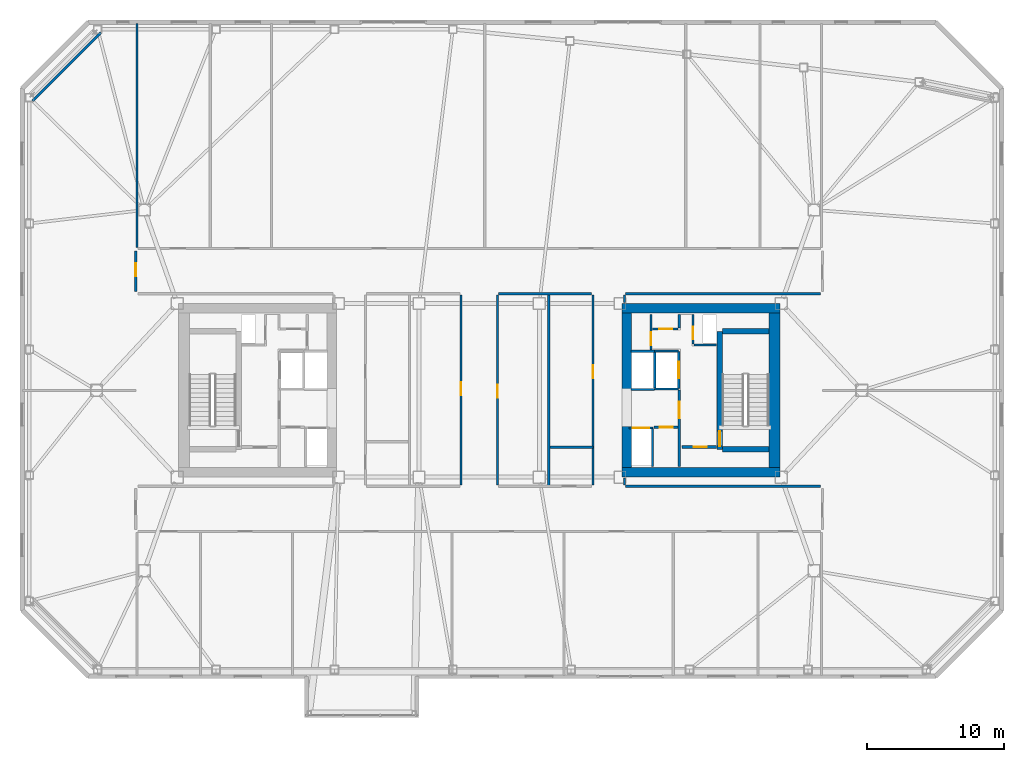
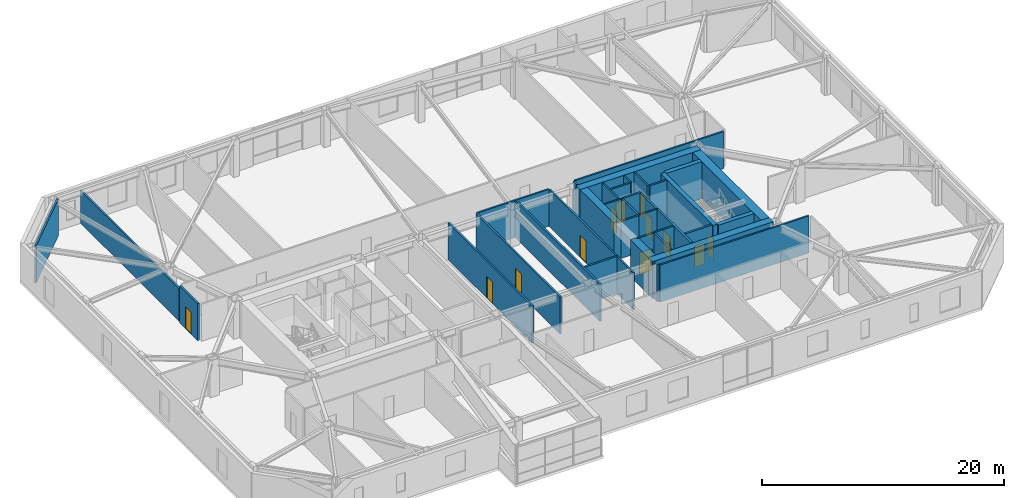
# One storey, part 13 of 19: 37 walls, 13 doors, 13 openings.
"""IFC4 building model written with IfcOpenShell, lengths in metres."""

from ifc_helpers import new_model, si_unit, direction, frame, frame_2d, origin, place, context, subcontext, project, spatial, rectangle, extrude, material, layer, layer_set, type_object, element, fill, save


model = new_model("IFC4")

# Units and contexts
model_context = context("Model", 3, precision=1e-05, world=origin(), true_north=direction((0.0, 1.0)))
body_context = subcontext(model_context, "Body", "Model", "MODEL_VIEW")
ifc_project = project(units=[si_unit("LENGTHUNIT", "METRE"), si_unit("AREAUNIT", "SQUARE_METRE"), si_unit("VOLUMEUNIT", "CUBIC_METRE"), si_unit("PLANEANGLEUNIT", "RADIAN"), si_unit("MASSUNIT", "GRAM", prefix="KILO")], contexts=[model_context])

# Site, building, storey
site_placement = place(None, origin())
site = spatial("IfcSite", under=ifc_project, at=site_placement, CompositionType="ELEMENT")
building_placement = place(site_placement, origin())
building = spatial("IfcBuilding", under=site, at=building_placement, Name="Tavrogorsk Clinical Tower", CompositionType="ELEMENT")
storey_placement = place(building_placement, frame((0.0, 0.0, 156.199951171875)))
storey = spatial("IfcBuildingStorey", under=building, at=storey_placement, Name="L35", CompositionType="ELEMENT", Elevation=156.199951171875)

# Wall, opening, door
ifc_material_1 = material(Name="Concrete B60", Category="concrete")
ifc_layer_1 = layer(ifc_material_1, 0.199951171875)
ifc_layer_set_1 = layer_set([ifc_layer_1], Name="Concrete B60")
wall_type_1 = type_object("IfcWallType", Name="CoreFireWall_200", PredefinedType="SOLIDWALL", material=ifc_layer_set_1)
wall_1_placement = place(storey_placement, frame((14.824951171875, -4.139892578125, 0.0), z_axis=(0.0, 0.0, 1.0), x_axis=(1.0, 0.0, 0.0)))
wall_1 = element("IfcWall", 1, at=wall_1_placement, inside=storey, type_object=wall_type_1, Name="L35 Core East South Core Room Fire Wall", PredefinedType="SOLIDWALL", context=body_context, shape_type="SweptSolid", body=[
    extrude(rectangle(XDim=2.554931640625, YDim=0.199951171875, at=frame_2d((1.27734375, 0.0))), origin(), (0.0, 0.0, 1.0), 3.739990234375),
])
opening_1_placement = place(wall_1_placement, frame((0.8798828125, 0.0, 0.0)))
opening_1 = element("IfcOpeningElement", 2, at=opening_1_placement, cuts=wall_1, Name="Opening ID-02", PredefinedType="OPENING", context=body_context, shape_type="SweptSolid", body=[
    extrude(rectangle(XDim=0.949951171875, YDim=2.199951171875, at=frame_2d((0.47509765625, 1.10009765625))), frame((0.0, 0.10986328125, 0.0), z_axis=(0.0, -1.0, 0.0), x_axis=(1.0, 0.0, 0.0)), (0.0, 0.0, 1.0), 0.219970703125),
])
ifc_material_2 = material(Name="Laminated timber leaf on aluminium frame", Category="wood")
door_type_1 = type_object("IfcDoorType", Name="InteriorDoor_ID02_950", OperationType="NOTDEFINED", PredefinedType="DOOR", material=ifc_material_2)
door_1_placement = place(opening_1_placement, origin())
door_1 = element("IfcDoor", 3, at=door_1_placement, inside=storey, type_object=door_type_1, Name="L35 Core East South Core Room Door", OperationType="SINGLE_SWING_RIGHT", OverallHeight=2.199951171875, OverallWidth=0.949951171875, PredefinedType="DOOR", context=body_context, shape_type="SweptSolid", body=[
    extrude(rectangle(XDim=0.949951171875, YDim=2.199951171875, at=frame_2d((0.47509765625, 1.10009765625))), frame((0.0, 0.02490234375, 0.0), z_axis=(0.0, -1.0, 0.0), x_axis=(1.0, 0.0, 0.0)), (0.0, 0.0, 1.0), 0.050048828125),
])
fill(opening_1, door_1)

wall_2_placement = place(storey_placement, frame((14.639892578125, -5.56005859375, 0.0), z_axis=(0.0, 0.0, 1.0), x_axis=(0.0, 1.0, 0.0)))
wall_2 = element("IfcWall", 4, at=wall_2_placement, inside=storey, type_object=wall_type_1, Name="L35 Core East Firefighting Lobby Fire Wall", PredefinedType="SOLIDWALL", context=body_context, shape_type="SweptSolid", body=[
    extrude(rectangle(XDim=5.60009765625, YDim=0.199951171875, at=frame_2d((2.800048828125, 0.0))), origin(), (0.0, 0.0, 1.0), 3.739990234375),
])
opening_2_placement = place(wall_2_placement, frame((3.510009765625, 0.0, 0.0)))
opening_2 = element("IfcOpeningElement", 5, at=opening_2_placement, cuts=wall_2, Name="Opening FD-01", PredefinedType="OPENING", context=body_context, shape_type="SweptSolid", body=[
    extrude(rectangle(XDim=1.199951171875, YDim=2.199951171875, at=frame_2d((0.60009765625, 1.10009765625))), frame((0.0, 0.10986328125, 0.0), z_axis=(0.0, -1.0, 0.0), x_axis=(1.0, 0.0, 0.0)), (0.0, 0.0, 1.0), 0.219970703125),
])
ifc_material_3 = material(Name="Galvanised steel fire-rated door assembly", Category="steel")
door_type_2 = type_object("IfcDoorType", Name="FireDoor_FD01_1200", OperationType="NOTDEFINED", PredefinedType="DOOR", material=ifc_material_3)
door_2_placement = place(opening_2_placement, origin())
door_2 = element("IfcDoor", 6, at=door_2_placement, inside=storey, type_object=door_type_2, Name="L35 Core East Firefighting Lobby Entry Door", OperationType="SINGLE_SWING_RIGHT", OverallHeight=2.199951171875, OverallWidth=1.199951171875, PredefinedType="DOOR", context=body_context, shape_type="SweptSolid", body=[
    extrude(rectangle(XDim=1.199951171875, YDim=2.199951171875, at=frame_2d((0.60009765625, 1.10009765625))), frame((0.0, 0.02490234375, 0.0), z_axis=(0.0, -1.0, 0.0), x_axis=(1.0, 0.0, 0.0)), (0.0, 0.0, 1.0), 0.050048828125),
])
fill(opening_2, door_2)

ifc_material_4 = material(Name="Lightweight concrete blockwork B15", Category="masonry")
ifc_layer_2 = layer(ifc_material_4, 0.159912109375)
ifc_layer_set_2 = layer_set([ifc_layer_2], Name="Lightweight concrete blockwork B15")
wall_type_2 = type_object("IfcWallType", Name="PartitionWall_160", PredefinedType="PARTITIONING", material=ifc_layer_set_2)
wall_3_placement = place(storey_placement, frame((12.77490234375, -2.699951171875, 0.0), z_axis=(0.0, 0.0, 1.0), x_axis=(1.0, 0.0, 0.0)))
wall_3 = element("IfcWall", 7, at=wall_3_placement, inside=storey, type_object=wall_type_2, Name="L35 Core East Freed Low-Bank North Partition", PredefinedType="PARTITIONING", context=body_context, shape_type="SweptSolid", body=[
    extrude(rectangle(XDim=1.760009765625, YDim=0.159912109375, at=frame_2d((0.8798828125, 0.0))), origin(), (0.0, 0.0, 1.0), 3.739990234375),
])
opening_3_placement = place(wall_3_placement, frame((0.449951171875, 0.0, 0.0)))
opening_3 = element("IfcOpeningElement", 8, at=opening_3_placement, cuts=wall_3, Name="Opening ID-02", PredefinedType="OPENING", context=body_context, shape_type="SweptSolid", body=[
    extrude(rectangle(XDim=0.949951171875, YDim=2.199951171875, at=frame_2d((0.47509765625, 1.10009765625))), frame((0.0, 0.08984375, 0.0), z_axis=(0.0, -1.0, 0.0), x_axis=(1.0, 0.0, 0.0)), (0.0, 0.0, 1.0), 0.179931640625),
])
door_3_placement = place(opening_3_placement, origin())
door_3 = element("IfcDoor", 9, at=door_3_placement, inside=storey, type_object=door_type_1, Name="L35 Core East Biomedical Alcove Door", OperationType="SINGLE_SWING_LEFT", OverallHeight=2.199951171875, OverallWidth=0.949951171875, PredefinedType="DOOR", context=body_context, shape_type="SweptSolid", body=[
    extrude(rectangle(XDim=0.949951171875, YDim=2.199951171875, at=frame_2d((0.47509765625, 1.10009765625))), frame((0.0, 0.02490234375, 0.0), z_axis=(0.0, -1.0, 0.0), x_axis=(1.0, 0.0, 0.0)), (0.0, 0.0, 1.0), 0.050048828125),
])
fill(opening_3, door_3)

wall_4_placement = place(storey_placement, frame((12.580078125, 2.9599609375, 0.0), z_axis=(0.0, 0.0, 1.0), x_axis=(0.0, 1.0, 0.0)))
wall_4 = element("IfcWall", 10, at=wall_4_placement, inside=storey, type_object=wall_type_2, Name="L35 Core East Linen Closet Wall", PredefinedType="PARTITIONING", context=body_context, shape_type="SweptSolid", body=[
    extrude(rectangle(XDim=2.60009765625, YDim=0.159912109375, at=frame_2d((1.300048828125, 0.0))), origin(), (0.0, 0.0, 1.0), 3.739990234375),
])
opening_4_placement = place(wall_4_placement, frame((0.35009765625, 0.0, 0.0)))
opening_4 = element("IfcOpeningElement", 11, at=opening_4_placement, cuts=wall_4, Name="Opening ID-02", PredefinedType="OPENING", context=body_context, shape_type="SweptSolid", body=[
    extrude(rectangle(XDim=0.949951171875, YDim=2.199951171875, at=frame_2d((0.47509765625, 1.10009765625))), frame((0.0, 0.08984375, 0.0), z_axis=(0.0, -1.0, 0.0), x_axis=(1.0, 0.0, 0.0)), (0.0, 0.0, 1.0), 0.179931640625),
])
door_4_placement = place(opening_4_placement, origin())
door_4 = element("IfcDoor", 12, at=door_4_placement, inside=storey, type_object=door_type_1, Name="L35 Core East Linen Closet Door", OperationType="SINGLE_SWING_RIGHT", OverallHeight=2.199951171875, OverallWidth=0.949951171875, PredefinedType="DOOR", context=body_context, shape_type="SweptSolid", body=[
    extrude(rectangle(XDim=0.949951171875, YDim=2.199951171875, at=frame_2d((0.47509765625, 1.10009765625))), frame((0.0, 0.02490234375, 0.0), z_axis=(0.0, -1.0, 0.0), x_axis=(1.0, 0.0, 0.0)), (0.0, 0.0, 1.0), 0.050048828125),
])
fill(opening_4, door_4)

wall_5_placement = place(storey_placement, frame((12.6650390625, 4.47998046875, 0.0), z_axis=(0.0, 0.0, 1.0), x_axis=(1.0, 0.0, 0.0)))
wall_5 = element("IfcWall", 13, at=wall_5_placement, inside=storey, type_object=wall_type_2, Name="L35 Core East Housekeeping South Wall", PredefinedType="PARTITIONING", context=body_context, shape_type="SweptSolid", body=[
    extrude(rectangle(XDim=1.889892578125, YDim=0.159912109375, at=frame_2d((0.94482421875, 0.0))), origin(), (0.0, 0.0, 1.0), 3.739990234375),
])
opening_5_placement = place(wall_5_placement, frame((0.5, 0.0, 0.0)))
opening_5 = element("IfcOpeningElement", 14, at=opening_5_placement, cuts=wall_5, Name="Opening ID-02", PredefinedType="OPENING", context=body_context, shape_type="SweptSolid", body=[
    extrude(rectangle(XDim=0.949951171875, YDim=2.199951171875, at=frame_2d((0.47509765625, 1.10009765625))), frame((0.0, 0.08984375, 0.0), z_axis=(0.0, -1.0, 0.0), x_axis=(1.0, 0.0, 0.0)), (0.0, 0.0, 1.0), 0.179931640625),
])
door_5_placement = place(opening_5_placement, origin())
door_5 = element("IfcDoor", 15, at=door_5_placement, inside=storey, type_object=door_type_1, Name="L35 Core East Housekeeping Closet Door", OperationType="SINGLE_SWING_LEFT", OverallHeight=2.199951171875, OverallWidth=0.949951171875, PredefinedType="DOOR", context=body_context, shape_type="SweptSolid", body=[
    extrude(rectangle(XDim=0.949951171875, YDim=2.199951171875, at=frame_2d((0.47509765625, 1.10009765625))), frame((0.0, 0.02490234375, 0.0), z_axis=(0.0, -1.0, 0.0), x_axis=(1.0, 0.0, 0.0)), (0.0, 0.0, 1.0), 0.050048828125),
])
fill(opening_5, door_5)

# Walls
wall_6_placement = place(storey_placement, frame((14.639892578125, 4.56494140625, 0.0), z_axis=(0.0, 0.0, 1.0), x_axis=(0.0, 1.0, 0.0)))
element("IfcWall", 16, at=wall_6_placement, inside=storey, type_object=wall_type_2, Name="L35 Core East Housekeeping East Wall", PredefinedType="PARTITIONING", context=body_context, shape_type="SweptSolid", body=[
    extrude(rectangle(XDim=0.9951171875, YDim=0.159912109375, at=frame_2d((0.49755859375, 0.0))), origin(), (0.0, 0.0, 1.0), 3.739990234375),
])
wall_7_placement = place(storey_placement, frame((-27.6796875, 26.1796875, 0.0), z_axis=(0.0, 0.0, 1.0), x_axis=(-0.707106781187, -0.707106781187, 0.0)))
element("IfcWall", 17, at=wall_7_placement, inside=storey, type_object=wall_type_2, Name="L35 Corner Exoskeleton Brace Furring Wall 3", PredefinedType="PARTITIONING", context=body_context, shape_type="SweptSolid", body=[
    extrude(rectangle(XDim=7.071044921875, YDim=0.159912109375, at=frame_2d((3.53564453125, 0.0))), origin(), (0.0, 0.0, 1.0), 3.739990234375),
])

# Wall, opening, door
wall_8_placement = place(storey_placement, frame((-25.1298828125, 7.235107421875, 0.0), z_axis=(0.0, 0.0, 1.0), x_axis=(0.0, 1.0, 0.0)))
wall_8 = element("IfcWall", 18, at=wall_8_placement, inside=storey, type_object=wall_type_2, Name="L35 Corridor Partition 06", PredefinedType="PARTITIONING", context=body_context, shape_type="SweptSolid", body=[
    extrude(rectangle(XDim=2.97998046875, YDim=0.159912109375, at=frame_2d((1.489990234375, 0.0))), origin(), (0.0, 0.0, 1.0), 3.739990234375),
])
opening_6_placement = place(wall_8_placement, frame((1.10009765625, 0.0, 0.0)))
opening_6 = element("IfcOpeningElement", 19, at=opening_6_placement, cuts=wall_8, Name="Opening ID-02", PredefinedType="OPENING", context=body_context, shape_type="SweptSolid", body=[
    extrude(rectangle(XDim=0.949951171875, YDim=2.199951171875, at=frame_2d((0.47509765625, 1.10009765625))), frame((0.0, 0.08984375, 0.0), z_axis=(0.0, -1.0, 0.0), x_axis=(1.0, 0.0, 0.0)), (0.0, 0.0, 1.0), 0.179931640625),
])
door_6_placement = place(opening_6_placement, origin())
door_6 = element("IfcDoor", 20, at=door_6_placement, inside=storey, type_object=door_type_1, Name="L35 W Rehabilitation Therapy Suite 2 Door", OperationType="SINGLE_SWING_LEFT", OverallHeight=2.199951171875, OverallWidth=0.949951171875, PredefinedType="DOOR", context=body_context, shape_type="SweptSolid", body=[
    extrude(rectangle(XDim=0.949951171875, YDim=2.199951171875, at=frame_2d((0.47509765625, 1.10009765625))), frame((0.0, 0.02490234375, 0.0), z_axis=(0.0, -1.0, 0.0), x_axis=(1.0, 0.0, 0.0)), (0.0, 0.0, 1.0), 0.050048828125),
])
fill(opening_6, door_6)

# Walls
wall_9_placement = place(storey_placement, frame((24.965087890625, 7.070068359375, 0.0), z_axis=(0.0, 0.0, 1.0), x_axis=(-1.0, 0.0, 0.0)))
element("IfcWall", 21, at=wall_9_placement, inside=storey, type_object=wall_type_2, Name="L35 Corridor Partition 09", PredefinedType="PARTITIONING", context=body_context, shape_type="SweptSolid", body=[
    extrude(rectangle(XDim=14.25, YDim=0.159912109375, at=frame_2d((7.125, 0.0))), origin(), (0.0, 0.0, 1.0), 3.739990234375),
])
wall_10_placement = place(storey_placement, frame((10.6298828125, 6.985107421875, 0.0), z_axis=(0.0, 0.0, 1.0), x_axis=(0.0, -1.0, 0.0)))
element("IfcWall", 22, at=wall_10_placement, inside=storey, type_object=wall_type_2, Name="L35 Corridor Partition 10", PredefinedType="PARTITIONING", context=body_context, shape_type="SweptSolid", body=[
    extrude(rectangle(XDim=0.565185546875, YDim=0.159912109375, at=frame_2d((0.28271484375, 0.0))), origin(), (0.0, 0.0, 1.0), 3.739990234375),
])
wall_11_placement = place(storey_placement, frame((10.6298828125, -6.419921875, 0.0), z_axis=(0.0, 0.0, 1.0), x_axis=(0.0, -1.0, 0.0)))
element("IfcWall", 23, at=wall_11_placement, inside=storey, type_object=wall_type_2, Name="L35 Corridor Partition 11", PredefinedType="PARTITIONING", context=body_context, shape_type="SweptSolid", body=[
    extrude(rectangle(XDim=0.51513671875, YDim=0.159912109375, at=frame_2d((0.257568359375, 0.0))), origin(), (0.0, 0.0, 1.0), 3.739990234375),
])
wall_12_placement = place(storey_placement, frame((10.715087890625, -7.02001953125, 0.0), z_axis=(0.0, 0.0, 1.0), x_axis=(1.0, 0.0, 0.0)))
element("IfcWall", 24, at=wall_12_placement, inside=storey, type_object=wall_type_2, Name="L35 Corridor Partition 12", PredefinedType="PARTITIONING", context=body_context, shape_type="SweptSolid", body=[
    extrude(rectangle(XDim=14.25, YDim=0.159912109375, at=frame_2d((7.125, 0.0))), origin(), (0.0, 0.0, 1.0), 3.739990234375),
])
wall_13_placement = place(storey_placement, frame((8.235107421875, 7.070068359375, 0.0), z_axis=(0.0, 0.0, 1.0), x_axis=(-1.0, 0.0, 0.0)))
element("IfcWall", 25, at=wall_13_placement, inside=storey, type_object=wall_type_2, Name="L35 Corridor Partition 15", PredefinedType="PARTITIONING", context=body_context, shape_type="SweptSolid", body=[
    extrude(rectangle(XDim=6.820068359375, YDim=0.159912109375, at=frame_2d((3.41015625, 0.0))), origin(), (0.0, 0.0, 1.0), 3.739990234375),
])

# Wall, opening, door
wall_14_placement = place(storey_placement, frame((1.330078125, 6.985107421875, 0.0), z_axis=(0.0, 0.0, 1.0), x_axis=(0.0, -1.0, 0.0)))
wall_14 = element("IfcWall", 26, at=wall_14_placement, inside=storey, type_object=wall_type_2, Name="L35 Corridor Partition 16", PredefinedType="PARTITIONING", context=body_context, shape_type="SweptSolid", body=[
    extrude(rectangle(XDim=13.920166015625, YDim=0.159912109375, at=frame_2d((6.9599609375, 0.0))), origin(), (0.0, 0.0, 1.0), 3.739990234375),
])
opening_7_placement = place(wall_14_placement, frame((6.570068359375, 0.0, 0.0)))
opening_7 = element("IfcOpeningElement", 27, at=opening_7_placement, cuts=wall_14, Name="Opening ID-02", PredefinedType="OPENING", context=body_context, shape_type="SweptSolid", body=[
    extrude(rectangle(XDim=0.949951171875, YDim=2.199951171875, at=frame_2d((0.47509765625, 1.10009765625))), frame((0.0, 0.08984375, 0.0), z_axis=(0.0, -1.0, 0.0), x_axis=(1.0, 0.0, 0.0)), (0.0, 0.0, 1.0), 0.179931640625),
])
door_7_placement = place(opening_7_placement, origin())
door_7 = element("IfcDoor", 28, at=door_7_placement, inside=storey, type_object=door_type_1, Name="L35 Clean Medication Preparation Room Door", OperationType="SINGLE_SWING_LEFT", OverallHeight=2.199951171875, OverallWidth=0.949951171875, PredefinedType="DOOR", context=body_context, shape_type="SweptSolid", body=[
    extrude(rectangle(XDim=0.949951171875, YDim=2.199951171875, at=frame_2d((0.47509765625, 1.10009765625))), frame((0.0, 0.02490234375, 0.0), z_axis=(0.0, -1.0, 0.0), x_axis=(1.0, 0.0, 0.0)), (0.0, 0.0, 1.0), 0.050048828125),
])
fill(opening_7, door_7)

wall_15_placement = place(storey_placement, frame((8.320068359375, -6.93505859375, 0.0), z_axis=(0.0, 0.0, 1.0), x_axis=(0.0, 1.0, 0.0)))
wall_15 = element("IfcWall", 29, at=wall_15_placement, inside=storey, type_object=wall_type_2, Name="L35 Corridor Partition 18", PredefinedType="PARTITIONING", context=body_context, shape_type="SweptSolid", body=[
    extrude(rectangle(XDim=13.920166015625, YDim=0.159912109375, at=frame_2d((6.9599609375, 0.0))), origin(), (0.0, 0.0, 1.0), 3.739990234375),
])
opening_8_placement = place(wall_15_placement, frame((7.810791015625, 0.0, 0.0)))
opening_8 = element("IfcOpeningElement", 30, at=opening_8_placement, cuts=wall_15, Name="Opening ID-02", PredefinedType="OPENING", context=body_context, shape_type="SweptSolid", body=[
    extrude(rectangle(XDim=0.949951171875, YDim=2.199951171875, at=frame_2d((0.47509765625, 1.10009765625))), frame((0.0, 0.08984375, 0.0), z_axis=(0.0, -1.0, 0.0), x_axis=(1.0, 0.0, 0.0)), (0.0, 0.0, 1.0), 0.179931640625),
])
door_8_placement = place(opening_8_placement, origin())
door_8 = element("IfcDoor", 31, at=door_8_placement, inside=storey, type_object=door_type_1, Name="L35 Resident Clinician Study Door", OperationType="SINGLE_SWING_LEFT", OverallHeight=2.199951171875, OverallWidth=0.949951171875, PredefinedType="DOOR", context=body_context, shape_type="SweptSolid", body=[
    extrude(rectangle(XDim=0.949951171875, YDim=2.199951171875, at=frame_2d((0.47509765625, 1.10009765625))), frame((0.0, 0.02490234375, 0.0), z_axis=(0.0, -1.0, 0.0), x_axis=(1.0, 0.0, 0.0)), (0.0, 0.0, 1.0), 0.050048828125),
])
fill(opening_8, door_8)

wall_16_placement = place(storey_placement, frame((-1.330078125, -6.93505859375, 0.0), z_axis=(0.0, 0.0, 1.0), x_axis=(0.0, 1.0, 0.0)))
wall_16 = element("IfcWall", 32, at=wall_16_placement, inside=storey, type_object=wall_type_2, Name="L35 Corridor Partition 19", PredefinedType="PARTITIONING", context=body_context, shape_type="SweptSolid", body=[
    extrude(rectangle(XDim=13.920166015625, YDim=0.159912109375, at=frame_2d((6.9599609375, 0.0))), origin(), (0.0, 0.0, 1.0), 3.739990234375),
])
opening_9_placement = place(wall_16_placement, frame((6.570068359375, 0.0, 0.0)))
opening_9 = element("IfcOpeningElement", 33, at=opening_9_placement, cuts=wall_16, Name="Opening ID-02", PredefinedType="OPENING", context=body_context, shape_type="SweptSolid", body=[
    extrude(rectangle(XDim=0.949951171875, YDim=2.199951171875, at=frame_2d((0.47509765625, 1.10009765625))), frame((0.0, 0.08984375, 0.0), z_axis=(0.0, -1.0, 0.0), x_axis=(1.0, 0.0, 0.0)), (0.0, 0.0, 1.0), 0.179931640625),
])
door_9_placement = place(opening_9_placement, origin())
door_9 = element("IfcDoor", 34, at=door_9_placement, inside=storey, type_object=door_type_1, Name="L35 Nurses' Station & Telemetry Hub Door", OperationType="SINGLE_SWING_RIGHT", OverallHeight=2.199951171875, OverallWidth=0.949951171875, PredefinedType="DOOR", context=body_context, shape_type="SweptSolid", body=[
    extrude(rectangle(XDim=0.949951171875, YDim=2.199951171875, at=frame_2d((0.47509765625, 1.10009765625))), frame((0.0, 0.02490234375, 0.0), z_axis=(0.0, -1.0, 0.0), x_axis=(1.0, 0.0, 0.0)), (0.0, 0.0, 1.0), 0.050048828125),
])
fill(opening_9, door_9)

# Walls
wall_17_placement = place(storey_placement, frame((-25.050048828125, 10.465087890625, 0.0), z_axis=(0.0, 0.0, 1.0), x_axis=(0.0, 1.0, 0.0)))
element("IfcWall", 35, at=wall_17_placement, inside=storey, type_object=wall_type_2, Name="L35 NW Wing Closure Partition", PredefinedType="PARTITIONING", context=body_context, shape_type="SweptSolid", body=[
    extrude(rectangle(XDim=16.39501953125, YDim=0.159912109375, at=frame_2d((8.197509765625, 0.0))), origin(), (0.0, 0.0, 1.0), 3.28515625),
])
ifc_material_5 = material(Name="Lightweight concrete blockwork B20", Category="masonry")
ifc_layer_3 = layer(ifc_material_5, 0.179931640625)
ifc_layer_set_3 = layer_set([ifc_layer_3], Name="Lightweight concrete blockwork B20")
wall_type_3 = type_object("IfcWallType", Name="PartitionWall_180", PredefinedType="PARTITIONING", material=ifc_layer_set_3)
wall_18_placement = place(storey_placement, frame((5.10009765625, -7.014892578125, 0.0), z_axis=(0.0, 0.0, 1.0), x_axis=(0.0, 1.0, 0.0)))
element("IfcWall", 36, at=wall_18_placement, inside=storey, type_object=wall_type_3, Name="L35 Central Spine Partition 2", PredefinedType="PARTITIONING", context=body_context, shape_type="SweptSolid", body=[
    extrude(rectangle(XDim=14.079833984375, YDim=0.179931640625, at=frame_2d((7.0400390625, 0.0))), origin(), (0.0, 0.0, 1.0), 3.739990234375),
])
wall_19_placement = place(storey_placement, frame((5.195068359375, -4.14990234375, 0.0), z_axis=(0.0, 0.0, 1.0), x_axis=(1.0, 0.0, 0.0)))
element("IfcWall", 37, at=wall_19_placement, inside=storey, type_object=wall_type_3, Name="L35 Central Spine Partition 4", PredefinedType="PARTITIONING", context=body_context, shape_type="SweptSolid", body=[
    extrude(rectangle(XDim=3.119873046875, YDim=0.179931640625, at=frame_2d((1.56005859375, 0.0))), origin(), (0.0, 0.0, 1.0), 3.739990234375),
])

# Wall, opening, door
ifc_material_6 = material(Name="Lightweight concrete blockwork B25", Category="masonry")
ifc_layer_4 = layer(ifc_material_6, 0.159912109375)
ifc_layer_set_4 = layer_set([ifc_layer_4], Name="Lightweight concrete blockwork B25")
wall_type_4 = type_object("IfcWallType", Name="ShaftWall_160", PredefinedType="PARTITIONING", material=ifc_layer_set_4)
wall_20_placement = place(storey_placement, frame((14.60009765625, 0.1201171875, 0.0), z_axis=(0.0, 0.0, 1.0), x_axis=(0.0, 1.0, 0.0)))
wall_20 = element("IfcWall", 38, at=wall_20_placement, inside=storey, type_object=wall_type_4, Name="L35 FFL-E Firefighting Lift Front Wall", PredefinedType="PARTITIONING", context=body_context, shape_type="SweptSolid", body=[
    extrude(rectangle(XDim=2.739990234375, YDim=0.159912109375, at=frame_2d((1.3701171875, 0.0))), origin(), (0.0, 0.0, 1.0), 3.739990234375),
])
opening_10_placement = place(wall_20_placement, frame((0.77001953125, 0.0, 0.0)))
opening_10 = element("IfcOpeningElement", 39, at=opening_10_placement, cuts=wall_20, Name="Opening LD", PredefinedType="OPENING", context=body_context, shape_type="SweptSolid", body=[
    extrude(rectangle(XDim=1.199951171875, YDim=2.199951171875, at=frame_2d((0.60009765625, 1.10009765625))), frame((0.0, 0.08984375, 0.0), z_axis=(0.0, -1.0, 0.0), x_axis=(1.0, 0.0, 0.0)), (0.0, 0.0, 1.0), 0.179931640625),
])
ifc_material_7 = material(Name="Brushed stainless steel AISI 304 sliding doors", Category="steel")
door_type_3 = type_object("IfcDoorType", Name="LiftLandingDoor_LD_1200", OperationType="SLIDING_TO_LEFT", PredefinedType="DOOR", material=ifc_material_7)
door_10_placement = place(opening_10_placement, origin())
door_10 = element("IfcDoor", 40, at=door_10_placement, inside=storey, type_object=door_type_3, Name="L35 FFL-E Sliding Lift Landing Door", OperationType="SLIDING_TO_LEFT", OverallHeight=2.199951171875, OverallWidth=1.199951171875, PredefinedType="DOOR", context=body_context, shape_type="SweptSolid", body=[
    extrude(rectangle(XDim=1.199951171875, YDim=2.199951171875, at=frame_2d((0.60009765625, 1.10009765625))), frame((0.0, 0.02490234375, 0.0), z_axis=(0.0, -1.0, 0.0), x_axis=(1.0, 0.0, 0.0)), (0.0, 0.0, 1.0), 0.050048828125),
])
fill(opening_10, door_10)

# Walls
for number, where, z_axis, x_axis, name in (
    (41, (12.840087890625, 0.10009765625, 0.0), (0.0, 0.0, 1.0), (1.0, 0.0, 0.0), "L35 FFL-E Shaft South Wall"),
    (42, (12.840087890625, 2.8798828125, 0.0), (0.0, 0.0, 1.0), (1.0, 0.0, 0.0), "L35 FFL-E Shaft North Wall"),
):
    element("IfcWall", number, at=place(storey_placement, frame(where, z_axis=z_axis, x_axis=x_axis)), inside=storey, type_object=wall_type_4, Name=name, PredefinedType="PARTITIONING", context=body_context, shape_type="SweptSolid", body=[
        extrude(rectangle(XDim=1.760009765625, YDim=0.159912109375, at=frame_2d((0.8798828125, 0.0))), origin(), (0.0, 0.0, 1.0), 3.739990234375),
    ])
wall_21_placement = place(storey_placement, frame((12.840087890625, 0.179931640625, 0.0), z_axis=(0.0, 0.0, 1.0), x_axis=(0.0, 1.0, 0.0)))
element("IfcWall", 43, at=wall_21_placement, inside=storey, type_object=wall_type_4, Name="L35 FFL-E Shaft Back Wall", PredefinedType="PARTITIONING", context=body_context, shape_type="SweptSolid", body=[
    extrude(rectangle(XDim=2.6201171875, YDim=0.159912109375, at=frame_2d((1.31005859375, 0.0))), origin(), (0.0, 0.0, 1.0), 3.739990234375),
])

# Wall, opening, door
wall_22_placement = place(storey_placement, frame((10.969970703125, -2.75, 0.0), z_axis=(0.0, 0.0, 1.0), x_axis=(1.0, 0.0, 0.0)))
wall_22 = element("IfcWall", 44, at=wall_22_placement, inside=storey, type_object=wall_type_4, Name="L35 LP-M2 Lift Shaft Portal Wall", PredefinedType="PARTITIONING", context=body_context, shape_type="SweptSolid", body=[
    extrude(rectangle(XDim=1.760009765625, YDim=0.159912109375, at=frame_2d((0.8798828125, 0.0))), origin(), (0.0, 0.0, 1.0), 3.739990234375),
])
opening_11_placement = place(wall_22_placement, frame((0.280029296875, 0.0, 0.0)))
opening_11 = element("IfcOpeningElement", 45, at=opening_11_placement, cuts=wall_22, Name="Opening LD", PredefinedType="OPENING", context=body_context, shape_type="SweptSolid", body=[
    extrude(rectangle(XDim=1.199951171875, YDim=2.199951171875, at=frame_2d((0.60009765625, 1.10009765625))), frame((0.0, 0.08984375, 0.0), z_axis=(0.0, -1.0, 0.0), x_axis=(1.0, 0.0, 0.0)), (0.0, 0.0, 1.0), 0.179931640625),
])
door_11_placement = place(opening_11_placement, origin())
door_11 = element("IfcDoor", 46, at=door_11_placement, inside=storey, type_object=door_type_3, Name="L35 LP-M2 Sliding Lift Landing Door", OperationType="SLIDING_TO_LEFT", OverallHeight=2.199951171875, OverallWidth=1.199951171875, PredefinedType="DOOR", context=body_context, shape_type="SweptSolid", body=[
    extrude(rectangle(XDim=1.199951171875, YDim=2.199951171875, at=frame_2d((0.60009765625, 1.10009765625))), frame((0.0, 0.02490234375, 0.0), z_axis=(0.0, -1.0, 0.0), x_axis=(1.0, 0.0, 0.0)), (0.0, 0.0, 1.0), 0.050048828125),
])
fill(opening_11, door_11)

# Walls
for number, where, z_axis, x_axis, name in (
    (47, (11.10009765625, 0.06005859375, 0.0), (0.0, 0.0, 1.0), (1.0, 0.0, 0.0), "L35 LP-H2 High-Zone Lift Portal Wall"),
    (48, (11.10009765625, 2.860107421875, 0.0), (0.0, 0.0, 1.0), (1.0, 0.0, 0.0), "L35 LP-H2 High-Zone Lift Rear Wall"),
):
    element("IfcWall", number, at=place(storey_placement, frame(where, z_axis=z_axis, x_axis=x_axis)), inside=storey, type_object=wall_type_4, Name=name, PredefinedType="PARTITIONING", context=body_context, shape_type="SweptSolid", body=[
        extrude(rectangle(XDim=1.719970703125, YDim=0.159912109375, at=frame_2d((0.85986328125, 0.0))), origin(), (0.0, 0.0, 1.0), 3.739990234375),
    ])

# Wall, opening, door
wall_23_placement = place(storey_placement, frame((15.639892578125, 3.405029296875, 0.0), z_axis=(0.0, 0.0, 1.0), x_axis=(0.0, 1.0, 0.0)))
wall_23 = element("IfcWall", 49, at=wall_23_placement, inside=storey, type_object=wall_type_4, Name="L35 Core East Riser West Wall", PredefinedType="PARTITIONING", context=body_context, shape_type="SweptSolid", body=[
    extrude(rectangle(XDim=2.155029296875, YDim=0.159912109375, at=frame_2d((1.07763671875, 0.0))), origin(), (0.0, 0.0, 1.0), 3.739990234375),
])
opening_12_placement = place(wall_23_placement, frame((0.35009765625, 0.0, 0.0)))
opening_12 = element("IfcOpeningElement", 50, at=opening_12_placement, cuts=wall_23, Name="Opening FD-02", PredefinedType="OPENING", context=body_context, shape_type="SweptSolid", body=[
    extrude(rectangle(XDim=0.89990234375, YDim=2.199951171875, at=frame_2d((0.449951171875, 1.10009765625))), frame((0.0, 0.08984375, 0.0), z_axis=(0.0, -1.0, 0.0), x_axis=(1.0, 0.0, 0.0)), (0.0, 0.0, 1.0), 0.179931640625),
])
ifc_material_8 = material(Name="Galvanised steel fire-rated door assembly", Category="steel")
door_type_4 = type_object("IfcDoorType", Name="FireDoor_FD02_900", OperationType="NOTDEFINED", PredefinedType="DOOR", material=ifc_material_8)
door_12_placement = place(opening_12_placement, origin())
door_12 = element("IfcDoor", 51, at=door_12_placement, inside=storey, type_object=door_type_4, Name="L35 Core East Electrical Riser Access Door", OperationType="SINGLE_SWING_LEFT", OverallHeight=2.199951171875, OverallWidth=0.89990234375, PredefinedType="DOOR", context=body_context, shape_type="SweptSolid", body=[
    extrude(rectangle(XDim=0.89990234375, YDim=2.199951171875, at=frame_2d((0.449951171875, 1.10009765625))), frame((0.0, 0.02490234375, 0.0), z_axis=(0.0, -1.0, 0.0), x_axis=(1.0, 0.0, 0.0)), (0.0, 0.0, 1.0), 0.050048828125),
])
fill(opening_12, door_12)

# Walls
wall_24_placement = place(storey_placement, frame((15.72509765625, 3.320068359375, 0.0), z_axis=(0.0, 0.0, 1.0), x_axis=(1.0, 0.0, 0.0)))
element("IfcWall", 52, at=wall_24_placement, inside=storey, type_object=wall_type_4, Name="L35 Core East Riser South Wall", PredefinedType="PARTITIONING", context=body_context, shape_type="SweptSolid", body=[
    extrude(rectangle(XDim=1.65478515625, YDim=0.159912109375, at=frame_2d((0.827392578125, 0.0))), origin(), (0.0, 0.0, 1.0), 3.739990234375),
])
wall_25_placement = place(storey_placement, frame((12.68994140625, -5.56005859375, 0.0), z_axis=(0.0, 0.0, 1.0), x_axis=(0.0, 1.0, 0.0)))
element("IfcWall", 53, at=wall_25_placement, inside=storey, type_object=wall_type_4, Name="L35 Core East Freed Low-Bank Shaft Divider", PredefinedType="PARTITIONING", context=body_context, shape_type="SweptSolid", body=[
    extrude(rectangle(XDim=2.775146484375, YDim=0.159912109375, at=frame_2d((1.3876953125, 0.0))), origin(), (0.0, 0.0, 1.0), 3.739990234375),
])

# Wall, opening, door
ifc_material_9 = material(Name="Concrete B80", Category="concrete")
ifc_layer_5 = layer(ifc_material_9, 0.39990234375)
ifc_layer_set_5 = layer_set([ifc_layer_5], Name="Concrete B80")
wall_type_5 = type_object("IfcWallType", Name="ShearWall_400", PredefinedType="SHEAR", material=ifc_layer_set_5)
wall_26_placement = place(storey_placement, frame((17.60009765625, -4.324951171875, 0.0), z_axis=(0.0, 0.0, 1.0), x_axis=(0.0, 1.0, 0.0)))
wall_26 = element("IfcWall", 54, at=wall_26_placement, inside=storey, type_object=wall_type_5, Name="L35 Core East Stair Shaft Inner Shear Wall", PredefinedType="SHEAR", context=body_context, shape_type="SweptSolid", body=[
    extrude(rectangle(XDim=8.64990234375, YDim=0.39990234375, at=frame_2d((4.324951171875, 0.0))), origin(), (0.0, 0.0, 1.0), 3.739990234375),
])
opening_13_placement = place(wall_26_placement, frame((0.25, 0.0, 0.0)))
opening_13 = element("IfcOpeningElement", 55, at=opening_13_placement, cuts=wall_26, Name="Opening SD-01", PredefinedType="OPENING", context=body_context, shape_type="SweptSolid", body=[
    extrude(rectangle(XDim=1.10009765625, YDim=2.199951171875, at=frame_2d((0.550048828125, 1.10009765625))), frame((0.0, 0.2099609375, 0.0), z_axis=(0.0, -1.0, 0.0), x_axis=(1.0, 0.0, 0.0)), (0.0, 0.0, 1.0), 0.419921875),
])
ifc_material_10 = material(Name="Galvanised steel smoke-tight fire door assembly", Category="steel")
door_type_5 = type_object("IfcDoorType", Name="StairFireDoor_SD01_1100", OperationType="NOTDEFINED", PredefinedType="DOOR", material=ifc_material_10)
door_13_placement = place(opening_13_placement, origin())
door_13 = element("IfcDoor", 56, at=door_13_placement, inside=storey, type_object=door_type_5, Name="L35 ST-E Exit Stair Door", OperationType="SINGLE_SWING_LEFT", OverallHeight=2.199951171875, OverallWidth=1.10009765625, PredefinedType="DOOR", context=body_context, shape_type="SweptSolid", body=[
    extrude(rectangle(XDim=1.10009765625, YDim=2.199951171875, at=frame_2d((0.550048828125, 1.10009765625))), frame((0.0, 0.02490234375, 0.0), z_axis=(0.0, -1.0, 0.0), x_axis=(1.0, 0.0, 0.0)), (0.0, 0.0, 1.0), 0.050048828125),
])
fill(opening_13, door_13)

# Walls
for number, where, z_axis, x_axis, name in (
    (57, (17.800048828125, -4.324951171875, 0.0), (0.0, 0.0, 1.0), (1.0, 0.0, 0.0), "L35 Core East Stair Shaft South Shear Wall"),
    (58, (17.800048828125, 4.324951171875, 0.0), (0.0, 0.0, 1.0), (1.0, 0.0, 0.0), "L35 Core East Stair Shaft North Shear Wall"),
):
    element("IfcWall", number, at=place(storey_placement, frame(where, z_axis=z_axis, x_axis=x_axis)), inside=storey, type_object=wall_type_5, Name=name, PredefinedType="SHEAR", context=body_context, shape_type="SweptSolid", body=[
        extrude(rectangle(XDim=3.39990234375, YDim=0.39990234375, at=frame_2d((1.699951171875, 0.0))), origin(), (0.0, 0.0, 1.0), 3.739990234375),
    ])
ifc_material_11 = material(Name="Concrete B80", Category="concrete")
ifc_layer_6 = layer(ifc_material_11, 0.699951171875)
ifc_layer_set_6 = layer_set([ifc_layer_6], Name="Concrete B80")
wall_type_6 = type_object("IfcWallType", Name="ShearWall_700", PredefinedType="SHEAR", material=ifc_layer_set_6)
for number, where, z_axis, x_axis, name in (
    (59, (10.449951171875, 6.0, 0.0), (0.0, 0.0, 1.0), (1.0, 0.0, 0.0), "L35 Core East North Shear Wall"),
    (60, (10.449951171875, -6.0, 0.0), (0.0, 0.0, 1.0), (1.0, 0.0, 0.0), "L35 Core East South Shear Wall"),
):
    element("IfcWall", number, at=place(storey_placement, frame(where, z_axis=z_axis, x_axis=x_axis)), inside=storey, type_object=wall_type_6, Name=name, PredefinedType="SHEAR", context=body_context, shape_type="SweptSolid", body=[
        extrude(rectangle(XDim=11.550048828125, YDim=0.699951171875, at=frame_2d((5.77490234375, 0.0))), origin(), (0.0, 0.0, 1.0), 3.739990234375),
    ])
wall_27_placement = place(storey_placement, frame((10.800048828125, -5.64990234375, 0.0), z_axis=(0.0, 0.0, 1.0), x_axis=(0.0, 1.0, 0.0)))
element("IfcWall", 61, at=wall_27_placement, inside=storey, type_object=wall_type_6, Name="L35 Core East Inner South Pier", PredefinedType="SHEAR", context=body_context, shape_type="SweptSolid", body=[
    extrude(rectangle(XDim=3.0, YDim=0.699951171875, at=frame_2d((1.5, 0.0))), origin(), (0.0, 0.0, 1.0), 3.739990234375),
])
wall_28_placement = place(storey_placement, frame((10.800048828125, 0.050048828125, 0.0), z_axis=(0.0, 0.0, 1.0), x_axis=(0.0, 1.0, 0.0)))
element("IfcWall", 62, at=wall_28_placement, inside=storey, type_object=wall_type_6, Name="L35 Core East Inner North Pier", PredefinedType="SHEAR", context=body_context, shape_type="SweptSolid", body=[
    extrude(rectangle(XDim=5.599853515625, YDim=0.699951171875, at=frame_2d((2.7998046875, 0.0))), origin(), (0.0, 0.0, 1.0), 3.739990234375),
])
ifc_material_12 = material(Name="Concrete B80", Category="concrete")
ifc_layer_7 = layer(ifc_material_12, 0.800048828125)
ifc_layer_set_7 = layer_set([ifc_layer_7], Name="Concrete B80")
wall_type_7 = type_object("IfcWallType", Name="ShearWall_800", PredefinedType="SHEAR", material=ifc_layer_set_7)
wall_29_placement = place(storey_placement, frame((21.60009765625, -5.64990234375, 0.0), z_axis=(0.0, 0.0, 1.0), x_axis=(0.0, 1.0, 0.0)))
element("IfcWall", 63, at=wall_29_placement, inside=storey, type_object=wall_type_7, Name="L35 Core East End Shear Wall", PredefinedType="SHEAR", context=body_context, shape_type="SweptSolid", body=[
    extrude(rectangle(XDim=11.2998046875, YDim=0.800048828125, at=frame_2d((5.64990234375, 0.0))), origin(), (0.0, 0.0, 1.0), 3.739990234375),
])

save(model, "model.ifc")
